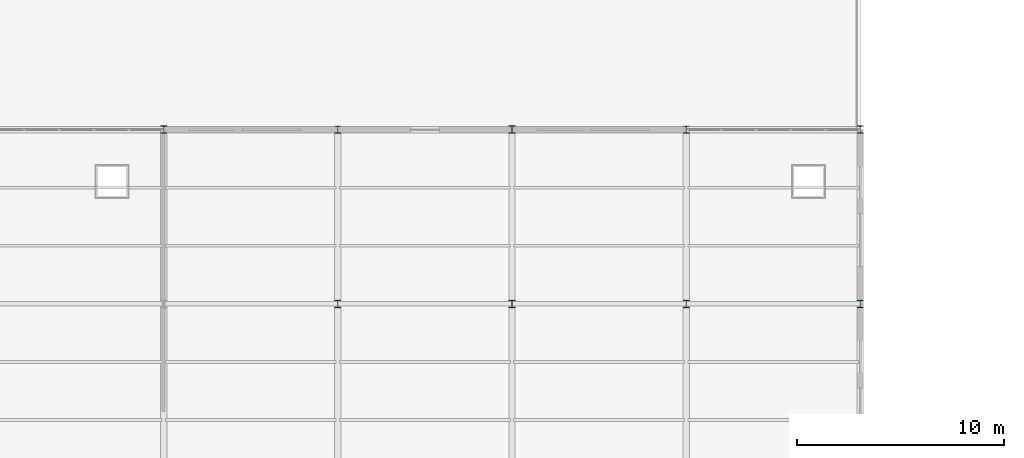
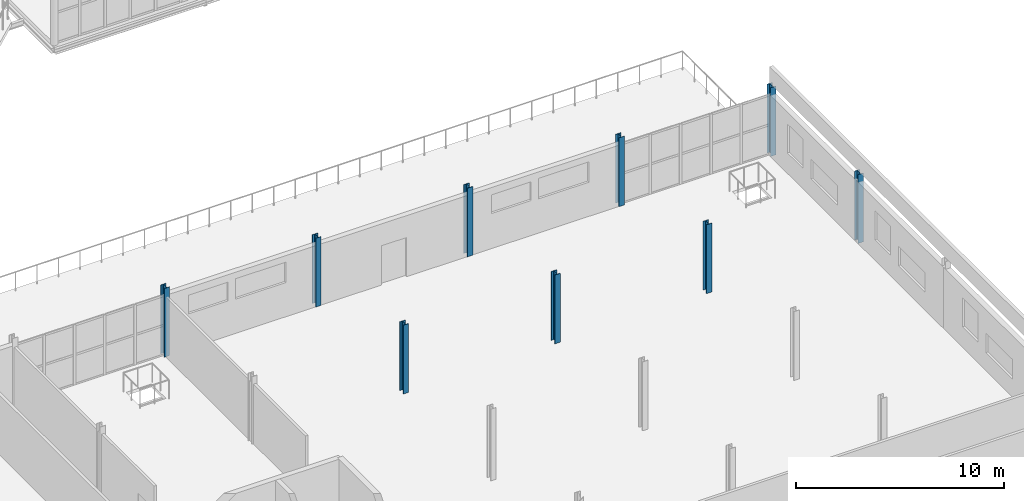
# One storey, part 17 of 184: 9 columns.
"""IFC4 building model written with IfcOpenShell, lengths in metres."""

from ifc_helpers import new_model, si_unit, direction, frame, origin, origin_2d, place, context, subcontext, project, spatial, i_section, extrude, material, material_profile, profile_set, type_object, element, save


model = new_model("IFC4")

# Units and contexts
model_context = context("Model", 3, precision=1e-05, world=origin(), true_north=direction((0.0, 1.0)))
body_context = subcontext(model_context, "Body", "Model", "MODEL_VIEW")
ifc_project = project(units=[si_unit("LENGTHUNIT", "METRE"), si_unit("AREAUNIT", "SQUARE_METRE"), si_unit("VOLUMEUNIT", "CUBIC_METRE"), si_unit("PLANEANGLEUNIT", "RADIAN"), si_unit("MASSUNIT", "GRAM", prefix="KILO")], contexts=[model_context])

# Site, building, storey
site_placement = place(None, origin())
site = spatial("IfcSite", under=ifc_project, at=site_placement, CompositionType="ELEMENT")
building_placement = place(site_placement, origin())
building = spatial("IfcBuilding", under=site, at=building_placement, Name="Qalvenar Corner Mobility Hub", CompositionType="ELEMENT")
storey_placement = place(building_placement, frame((0.0, 0.0, 9.0)))
storey = spatial("IfcBuildingStorey", under=building, at=storey_placement, Name="L02", CompositionType="ELEMENT", Elevation=9.0)

# Columns
ifc_material = material(Name="Steel S355", Category="steel")
ifc_material_profile_1 = material_profile(ifc_material, i_section(OverallWidth=0.300048828125, OverallDepth=0.35009765625, WebThickness=0.010009765625, FlangeThickness=0.017578125, FilletRadius=0.027099609375, at=origin_2d()), Name="HEA360")
ifc_profile_set_1 = profile_set([ifc_material_profile_1], Name="Steel S355")
column_type_1 = type_object("IfcColumnType", Name="COL-HEA360", PredefinedType="COLUMN", material=ifc_profile_set_1)
for number, where, z_axis, x_axis, name in (
    (1, (142.800048828125, 33.60009765625, 0.0), (0.0, 0.0, 1.0), (1.0, 0.0, 0.0), "Steel Column L02-G18-4"),
    (2, (142.800048828125, 42.0, 0.0), (0.0, 0.0, 1.0), (1.0, 0.0, 0.0), "Steel Column L02-G18-5"),
    (3, (159.60009765625, 33.60009765625, 0.0), (0.0, 0.0, 1.0), (1.0, 0.0, 0.0), "Steel Column L02-G20-4"),
    (4, (159.60009765625, 42.0, 0.0), (0.0, 0.0, 1.0), (1.0, 0.0, 0.0), "Steel Column L02-G20-5"),
):
    element("IfcColumn", number, at=place(storey_placement, frame(where, z_axis=z_axis, x_axis=x_axis)), inside=storey, type_object=column_type_1, Name=name, PredefinedType="COLUMN", context=body_context, shape_type="SweptSolid", body=[
        extrude(i_section(OverallWidth=0.300048828125, OverallDepth=0.35009765625, WebThickness=0.010009765625, FlangeThickness=0.017578125, FilletRadius=0.027099609375, at=origin_2d()), origin(), (0.0, 0.0, 1.0), 4.030029296875),
    ])
ifc_material_profile_2 = material_profile(ifc_material, i_section(OverallWidth=0.300048828125, OverallDepth=0.360107421875, WebThickness=0.012451171875, FlangeThickness=0.0224609375, FilletRadius=0.027099609375, at=origin_2d()), Name="HEB360")
ifc_profile_set_2 = profile_set([ifc_material_profile_2], Name="Steel S355")
column_type_2 = type_object("IfcColumnType", Name="COL-HEB360", PredefinedType="COLUMN", material=ifc_profile_set_2)
for number, where, z_axis, x_axis, name in (
    (5, (134.39990234375, 42.0, 0.0), (0.0, 0.0, 1.0), (1.0, 0.0, 0.0), "Steel Column L02-G17-5"),
    (6, (151.199951171875, 33.60009765625, 0.0), (0.0, 0.0, 1.0), (1.0, 0.0, 0.0), "Steel Column L02-G19-4"),
    (7, (151.199951171875, 42.0, 0.0), (0.0, 0.0, 1.0), (1.0, 0.0, 0.0), "Steel Column L02-G19-5"),
    (8, (168.0, 33.60009765625, 0.0), (0.0, 0.0, 1.0), (1.0, 0.0, 0.0), "Steel Column L02-G21-4"),
    (9, (168.0, 42.0, 0.0), (0.0, 0.0, 1.0), (1.0, 0.0, 0.0), "Steel Column L02-G21-5"),
):
    element("IfcColumn", number, at=place(storey_placement, frame(where, z_axis=z_axis, x_axis=x_axis)), inside=storey, type_object=column_type_2, Name=name, PredefinedType="COLUMN", context=body_context, shape_type="SweptSolid", body=[
        extrude(i_section(OverallWidth=0.300048828125, OverallDepth=0.360107421875, WebThickness=0.012451171875, FlangeThickness=0.0224609375, FilletRadius=0.027099609375, at=origin_2d()), origin(), (0.0, 0.0, 1.0), 4.030029296875),
    ])

save(model, "model.ifc")
